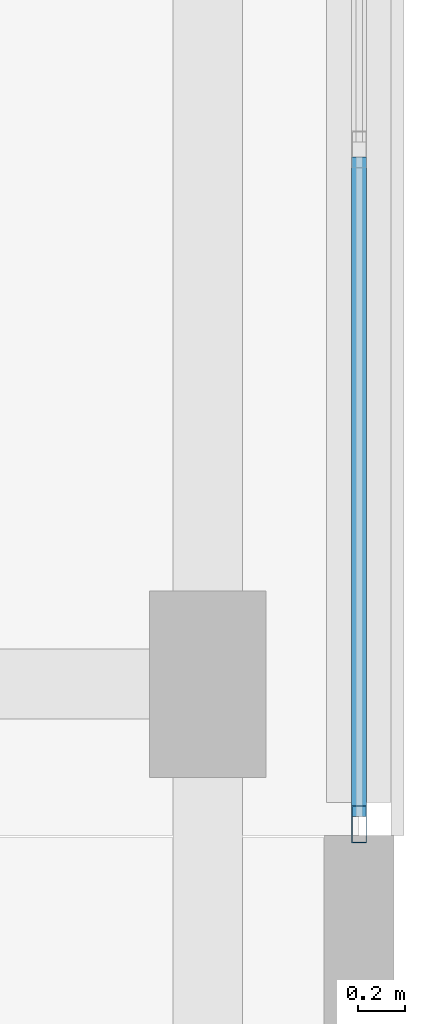
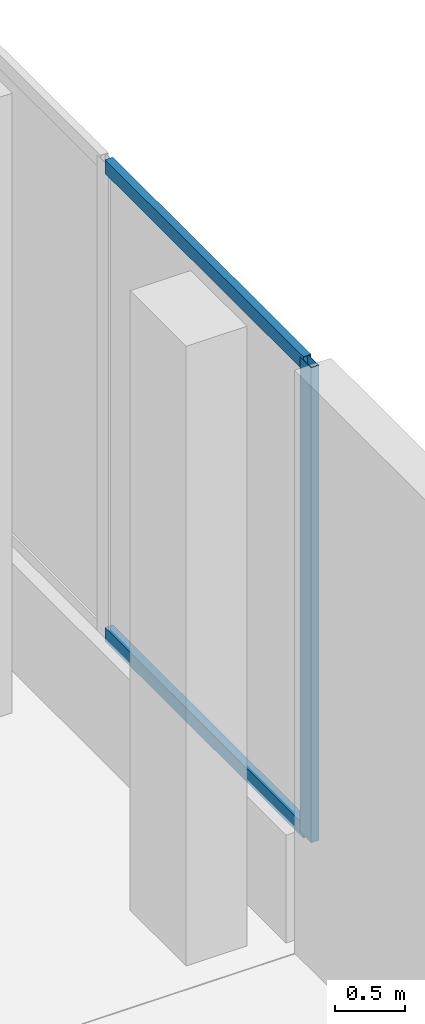
# One storey, part 108 of 158: 3 members, 1 element without a shape of its own.
"""IFC4 building model written with IfcOpenShell, lengths in metres."""

from ifc_helpers import new_model, si_unit, direction, frame, origin, origin_2d, place, context, subcontext, project, spatial, hollow_rectangle, extrude, material, material_profile, profile_set, type_object, element, aggregate, save


model = new_model("IFC4")

# Units and contexts
model_context = context("Model", 3, precision=1e-05, world=origin(), true_north=direction((0.0, 1.0)))
body_context = subcontext(model_context, "Body", "Model", "MODEL_VIEW")
ifc_project = project(units=[si_unit("LENGTHUNIT", "METRE"), si_unit("AREAUNIT", "SQUARE_METRE"), si_unit("VOLUMEUNIT", "CUBIC_METRE"), si_unit("PLANEANGLEUNIT", "RADIAN"), si_unit("MASSUNIT", "GRAM", prefix="KILO")], contexts=[model_context])

# Site, building, storey
site_placement = place(None, origin())
site = spatial("IfcSite", under=ifc_project, at=site_placement, CompositionType="ELEMENT")
building_placement = place(site_placement, origin())
building = spatial("IfcBuilding", under=site, at=building_placement, Name="Selatvlak General Hospital", CompositionType="ELEMENT")
storey_placement = place(building_placement, origin())
storey = spatial("IfcBuildingStorey", under=building, at=storey_placement, Name="L00", CompositionType="ELEMENT", Elevation=0.0)

# Curtain wall, members
ifc_material_1 = material(Name="Solar-control Low-E double glazing", Category="glass")
curtain_wall_type = type_object("IfcCurtainWallType", Name="CW-CW-02", PredefinedType="USERDEFINED", material=ifc_material_1)
curtain_wall_placement = place(storey_placement, origin())
curtain_wall = element("IfcCurtainWall", 1, at=curtain_wall_placement, inside=storey, type_object=curtain_wall_type, Name="Glazed facade curtain wall CW-L00-0015", ObjectType="UNITISED CURTAIN WALL", PredefinedType="USERDEFINED")
ifc_material_2 = material(Name="Dark anodised aluminium mullion", Category="aluminium")
ifc_material_profile_1 = material_profile(ifc_material_2, hollow_rectangle(XDim=0.06494140625, YDim=0.159912109375, WallThickness=0.00390625, at=origin_2d()), Name="AL-MUL 65x160x4")
ifc_profile_set_1 = profile_set([ifc_material_profile_1], Name="Dark anodised aluminium mullion")
member_type_1 = type_object("IfcMemberType", Name="CWM-01", PredefinedType="MULLION", material=ifc_profile_set_1)
member_1_placement = place(storey_placement, frame((182.0, 88.048583984375, 0.93994140625), z_axis=(0.0, 0.0, 1.0), x_axis=(1.0, 0.0, 0.0)))
member_1 = element("IfcMember", 2, at=member_1_placement, type_object=member_type_1, Name="CW-02 mullion 4", PredefinedType="MULLION", context=body_context, shape_type="SweptSolid", body=[
    extrude(hollow_rectangle(XDim=0.06494140625, YDim=0.159912109375, WallThickness=0.00390625, at=origin_2d()), origin(), (0.0, 0.0, 1.0), 4.14013671875),
])
ifc_material_profile_2 = material_profile(ifc_material_2, hollow_rectangle(XDim=0.06494140625, YDim=0.1201171875, WallThickness=0.00390625, at=origin_2d()), Name="AL-TRN 65x120x4")
ifc_profile_set_2 = profile_set([ifc_material_profile_2], Name="Dark anodised aluminium mullion")
member_type_2 = type_object("IfcMemberType", Name="CWT-01", PredefinedType="USERDEFINED", material=ifc_profile_set_2)
member_2_placement = place(storey_placement, frame((182.0, 90.912109375, 0.972412109375), z_axis=(0.0, -1.0, 0.0), x_axis=(1.0, 0.0, 0.0)))
member_2 = element("IfcMember", 3, at=member_2_placement, type_object=member_type_2, Name="CW-02 transom 3.1", ObjectType="TRANSOM", PredefinedType="USERDEFINED", context=body_context, shape_type="SweptSolid", body=[
    extrude(hollow_rectangle(XDim=0.06494140625, YDim=0.1201171875, WallThickness=0.00390625, at=origin_2d()), origin(), (0.0, 0.0, 1.0), 2.8310546875),
])
member_3_placement = place(storey_placement, frame((182.0, 90.912109375, 5.047607421875), z_axis=(0.0, -1.0, 0.0), x_axis=(1.0, 0.0, 0.0)))
member_3 = element("IfcMember", 4, at=member_3_placement, type_object=member_type_2, Name="CW-02 transom 3.2", ObjectType="TRANSOM", PredefinedType="USERDEFINED", context=body_context, shape_type="SweptSolid", body=[
    extrude(hollow_rectangle(XDim=0.06494140625, YDim=0.1201171875, WallThickness=0.00390625, at=origin_2d()), origin(), (0.0, 0.0, 1.0), 2.8310546875),
])
aggregate(curtain_wall, [member_1, member_2, member_3])

save(model, "model.ifc")
